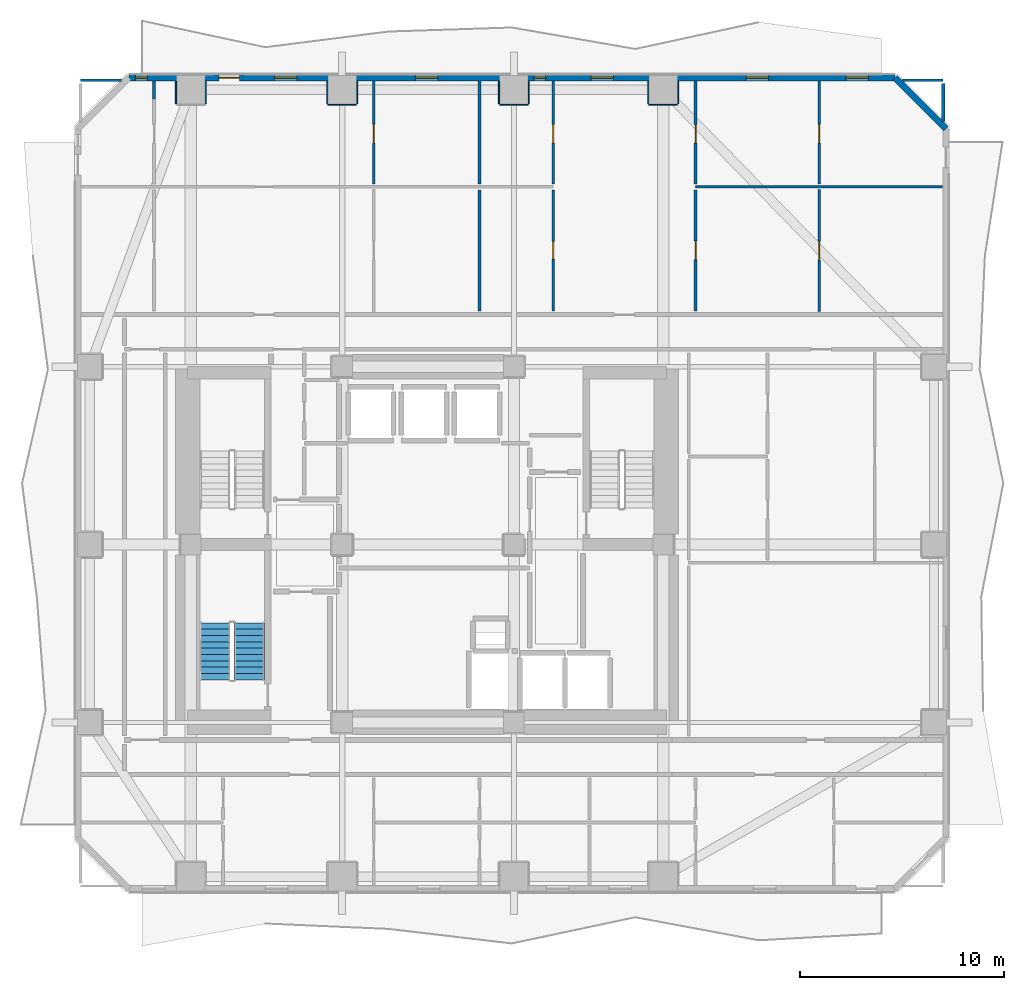
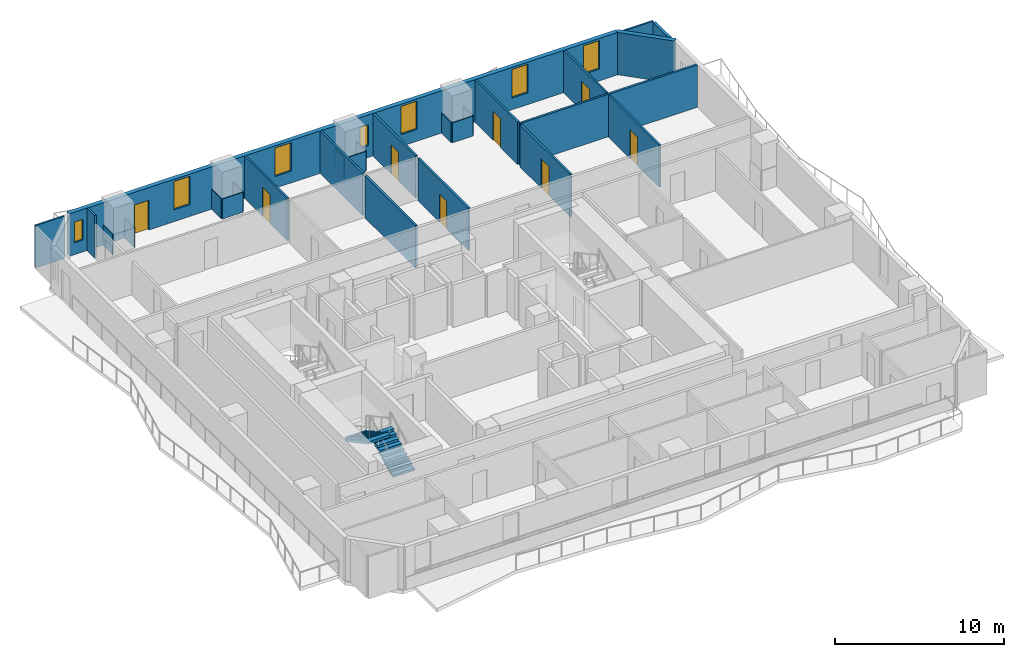
# One storey, part 6 of 11: 27 walls, 8 doors, 7 windows, 2 stair flights, 15 openings, 1 element without a shape of its own.
"""IFC4 building model written with IfcOpenShell, lengths in metres."""

from ifc_helpers import new_model, si_unit, direction, frame, frame_2d, origin, place, context, subcontext, project, spatial, polyline, rectangle, outline, extrude, material, layer, layer_set, type_object, element, fill, aggregate, save


model = new_model("IFC4")

# Units and contexts
model_context = context("Model", 3, precision=1e-05, world=origin(), true_north=direction((0.0, 1.0)))
body_context = subcontext(model_context, "Body", "Model", "MODEL_VIEW")
ifc_project = project(units=[si_unit("LENGTHUNIT", "METRE"), si_unit("AREAUNIT", "SQUARE_METRE"), si_unit("VOLUMEUNIT", "CUBIC_METRE"), si_unit("PLANEANGLEUNIT", "RADIAN"), si_unit("MASSUNIT", "GRAM", prefix="KILO")], contexts=[model_context])

# Site, building, storey
site_placement = place(None, origin())
site = spatial("IfcSite", under=ifc_project, at=site_placement, CompositionType="ELEMENT")
building_placement = place(site_placement, origin())
building = spatial("IfcBuilding", under=site, at=building_placement, Name="Solanera Arch Residences", CompositionType="ELEMENT")
storey_placement = place(building_placement, frame((0.0, 0.0, 75.1201171875)))
storey = spatial("IfcBuildingStorey", under=building, at=storey_placement, Name="L21", CompositionType="ELEMENT", Elevation=75.1201171875)

# Walls
ifc_material_1 = material(Name="Fire-Rated Gypsum Stud Partition", Category="gypsum")
ifc_layer_1 = layer(ifc_material_1, 0.06005859375)
ifc_layer_set_1 = layer_set([ifc_layer_1], Name="Fire-Rated Gypsum Stud Partition")
wall_type_1 = type_object("IfcWallType", Name="Column Acoustic Furring Wall 60", PredefinedType="PARTITIONING", material=ifc_layer_set_1)
for number, where, z_axis, x_axis, name in (
    (1, (12.66796875, 52.25, 0.0), (0.0, 0.0, 1.0), (0.0, 1.0, 0.0), "L21 Column Furring 10W"),
    (2, (14.132080078125, 52.25, 0.0), (0.0, 0.0, 1.0), (0.0, 1.0, 0.0), "L21 Column Furring 10E"),
):
    element("IfcWall", number, at=place(storey_placement, frame(where, z_axis=z_axis, x_axis=x_axis)), inside=storey, type_object=wall_type_1, Name=name, PredefinedType="PARTITIONING", context=body_context, shape_type="SweptSolid", body=[
        extrude(rectangle(XDim=1.1201171875, YDim=0.06005859375, at=frame_2d((0.56005859375, 0.0))), origin(), (0.0, 0.0, 1.0), 1.449951171875),
    ])
wall_1_placement = place(storey_placement, frame((20.10009765625, 52.218017578125, 0.0), z_axis=(0.0, 0.0, 1.0), x_axis=(1.0, 0.0, 0.0)))
element("IfcWall", 3, at=wall_1_placement, inside=storey, type_object=wall_type_1, Name="L21 Column Furring 12S", PredefinedType="PARTITIONING", context=body_context, shape_type="SweptSolid", body=[
    extrude(rectangle(XDim=1.39990234375, YDim=0.06005859375, at=frame_2d((0.699951171875, 0.0))), origin(), (0.0, 0.0, 1.0), 1.449951171875),
])
for number, where, z_axis, x_axis, name in (
    (4, (20.068115234375, 52.25, 0.0), (0.0, 0.0, 1.0), (0.0, 1.0, 0.0), "L21 Column Furring 12W"),
    (5, (21.531982421875, 52.25, 0.0), (0.0, 0.0, 1.0), (0.0, 1.0, 0.0), "L21 Column Furring 12E"),
):
    element("IfcWall", number, at=place(storey_placement, frame(where, z_axis=z_axis, x_axis=x_axis)), inside=storey, type_object=wall_type_1, Name=name, PredefinedType="PARTITIONING", context=body_context, shape_type="SweptSolid", body=[
        extrude(rectangle(XDim=1.1201171875, YDim=0.06005859375, at=frame_2d((0.56005859375, 0.0))), origin(), (0.0, 0.0, 1.0), 1.449951171875),
    ])
wall_2_placement = place(storey_placement, frame((28.5, 52.218017578125, 0.0), z_axis=(0.0, 0.0, 1.0), x_axis=(1.0, 0.0, 0.0)))
element("IfcWall", 6, at=wall_2_placement, inside=storey, type_object=wall_type_1, Name="L21 Column Furring 14S", PredefinedType="PARTITIONING", context=body_context, shape_type="SweptSolid", body=[
    extrude(rectangle(XDim=1.39990234375, YDim=0.06005859375, at=frame_2d((0.699951171875, 0.0))), origin(), (0.0, 0.0, 1.0), 1.449951171875),
])
for number, where, z_axis, x_axis, name in (
    (7, (28.468017578125, 52.25, 0.0), (0.0, 0.0, 1.0), (0.0, 1.0, 0.0), "L21 Column Furring 14W"),
    (8, (29.931884765625, 52.25, 0.0), (0.0, 0.0, 1.0), (0.0, 1.0, 0.0), "L21 Column Furring 14E"),
):
    element("IfcWall", number, at=place(storey_placement, frame(where, z_axis=z_axis, x_axis=x_axis)), inside=storey, type_object=wall_type_1, Name=name, PredefinedType="PARTITIONING", context=body_context, shape_type="SweptSolid", body=[
        extrude(rectangle(XDim=1.1201171875, YDim=0.06005859375, at=frame_2d((0.56005859375, 0.0))), origin(), (0.0, 0.0, 1.0), 1.449951171875),
    ])
wall_3_placement = place(storey_placement, frame((35.800048828125, 52.218017578125, 0.0), z_axis=(0.0, 0.0, 1.0), x_axis=(1.0, 0.0, 0.0)))
element("IfcWall", 9, at=wall_3_placement, inside=storey, type_object=wall_type_1, Name="L21 Column Furring 16S", PredefinedType="PARTITIONING", context=body_context, shape_type="SweptSolid", body=[
    extrude(rectangle(XDim=1.39990234375, YDim=0.06005859375, at=frame_2d((0.699951171875, 0.0))), origin(), (0.0, 0.0, 1.0), 1.449951171875),
])
for number, where, z_axis, x_axis, name in (
    (10, (35.76806640625, 52.25, 0.0), (0.0, 0.0, 1.0), (0.0, 1.0, 0.0), "L21 Column Furring 16W"),
    (11, (37.23193359375, 52.25, 0.0), (0.0, 0.0, 1.0), (0.0, 1.0, 0.0), "L21 Column Furring 16E"),
):
    element("IfcWall", number, at=place(storey_placement, frame(where, z_axis=z_axis, x_axis=x_axis)), inside=storey, type_object=wall_type_1, Name=name, PredefinedType="PARTITIONING", context=body_context, shape_type="SweptSolid", body=[
        extrude(rectangle(XDim=1.1201171875, YDim=0.06005859375, at=frame_2d((0.56005859375, 0.0))), origin(), (0.0, 0.0, 1.0), 1.449951171875),
    ])
ifc_material_2 = material(Name="Autoclaved Aerated Concrete Blockwork", Category="masonry")
ifc_layer_2 = layer(ifc_material_2, 0.179931640625)
ifc_layer_set_2 = layer_set([ifc_layer_2], Name="Autoclaved Aerated Concrete Blockwork")
wall_type_2 = type_object("IfcWallType", Name="Corridor Fire Partition 180", PredefinedType="PARTITIONING", material=ifc_layer_set_2)
wall_4_placement = place(storey_placement, frame((50.199951171875, 51.39892578125, 0.0), z_axis=(0.0, 0.0, 1.0), x_axis=(0.0, 1.0, 0.0)))
element("IfcWall", 12, at=wall_4_placement, inside=storey, type_object=wall_type_2, Name="L21 Interior Partition V9 2", PredefinedType="PARTITIONING", context=body_context, shape_type="SweptSolid", body=[
    extrude(rectangle(XDim=1.843017578125, YDim=0.179931640625, at=frame_2d((0.92138671875, 0.0))), origin(), (0.0, 0.0, 1.0), 3.059814453125),
])

# Wall, openings, door, windows
ifc_material_3 = material(Name="Precast Concrete C35/45", Category="concrete")
ifc_layer_3 = layer(ifc_material_3, 0.300048828125)
ifc_layer_set_3 = layer_set([ifc_layer_3], Name="Precast Concrete C35/45")
wall_type_3 = type_object("IfcWallType", Name="Exterior Wall Precast Masonry-Frame 300", PredefinedType="STANDARD", material=ifc_layer_set_3)
wall_5_placement = place(storey_placement, frame((10.364990234375, 53.534912109375, 0.0), z_axis=(0.0, 0.0, 1.0), x_axis=(1.0, 0.0, 0.0)))
wall_5 = element("IfcWall", 13, at=wall_5_placement, inside=storey, type_object=wall_type_3, Name="L21 Tower Exterior Precast Masonry-Frame Wall N", PredefinedType="STANDARD", context=body_context, shape_type="SweptSolid", body=[
    extrude(rectangle(XDim=37.469970703125, YDim=0.300048828125, at=frame_2d((18.73486328125, 0.0))), origin(), (0.0, 0.0, 1.0), 3.059814453125),
])
opening_1_placement = place(wall_5_placement, frame((4.403076171875, 0.0, 0.0)))
opening_1 = element("IfcOpeningElement", 14, at=opening_1_placement, cuts=wall_5, Name="Opening DB-01", PredefinedType="OPENING", context=body_context, shape_type="SweptSolid", body=[
    extrude(rectangle(XDim=1.0, YDim=2.14990234375, at=frame_2d((0.5, 1.074951171875))), frame((0.0, 0.159912109375, 0.0), z_axis=(0.0, -1.0, 0.0), x_axis=(1.0, 0.0, 0.0)), (0.0, 0.0, 1.0), 0.32),
])
opening_2_placement = place(wall_5_placement, frame((7.118896484375, 0.0, 0.85009765625)))
opening_2 = element("IfcOpeningElement", 15, at=opening_2_placement, cuts=wall_5, Name="Opening W-11", PredefinedType="OPENING", context=body_context, shape_type="SweptSolid", body=[
    extrude(rectangle(XDim=1.10009765625, YDim=2.050048828125, at=frame_2d((0.550048828125, 1.02490234375))), frame((0.0, 0.159912109375, 0.0), z_axis=(0.0, -1.0, 0.0), x_axis=(1.0, 0.0, 0.0)), (0.0, 0.0, 1.0), 0.32),
])
opening_3_placement = place(wall_5_placement, frame((0.323974609375, 0.0, 0.85009765625)))
opening_3 = element("IfcOpeningElement", 16, at=opening_3_placement, cuts=wall_5, Name="Opening W-14", PredefinedType="OPENING", context=body_context, shape_type="SweptSolid", body=[
    extrude(rectangle(XDim=0.580078125, YDim=1.5, at=frame_2d((0.2900390625, 0.75))), frame((0.0, 0.159912109375, 0.0), z_axis=(0.0, -1.0, 0.0), x_axis=(1.0, 0.0, 0.0)), (0.0, 0.0, 1.0), 0.32),
])
opening_4_placement = place(wall_5_placement, frame((14.02099609375, 0.0, 0.85009765625)))
opening_4 = element("IfcOpeningElement", 17, at=opening_4_placement, cuts=wall_5, Name="Opening W-11", PredefinedType="OPENING", context=body_context, shape_type="SweptSolid", body=[
    extrude(rectangle(XDim=1.10009765625, YDim=2.050048828125, at=frame_2d((0.550048828125, 1.02490234375))), frame((0.0, 0.159912109375, 0.0), z_axis=(0.0, -1.0, 0.0), x_axis=(1.0, 0.0, 0.0)), (0.0, 0.0, 1.0), 0.32),
])
opening_5_placement = place(wall_5_placement, frame((22.596923828125, 0.0, 0.85009765625)))
opening_5 = element("IfcOpeningElement", 18, at=opening_5_placement, cuts=wall_5, Name="Opening W-11", PredefinedType="OPENING", context=body_context, shape_type="SweptSolid", body=[
    extrude(rectangle(XDim=1.10009765625, YDim=2.050048828125, at=frame_2d((0.550048828125, 1.02490234375))), frame((0.0, 0.159912109375, 0.0), z_axis=(0.0, -1.0, 0.0), x_axis=(1.0, 0.0, 0.0)), (0.0, 0.0, 1.0), 0.32),
])
opening_6_placement = place(wall_5_placement, frame((19.806884765625, 0.0, 0.85009765625)))
opening_6 = element("IfcOpeningElement", 19, at=opening_6_placement, cuts=wall_5, Name="Opening W-14", PredefinedType="OPENING", context=body_context, shape_type="SweptSolid", body=[
    extrude(rectangle(XDim=0.580078125, YDim=1.5, at=frame_2d((0.2900390625, 0.75))), frame((0.0, 0.159912109375, 0.0), z_axis=(0.0, -1.0, 0.0), x_axis=(1.0, 0.0, 0.0)), (0.0, 0.0, 1.0), 0.32),
])
opening_7_placement = place(wall_5_placement, frame((30.195068359375, 0.0, 0.85009765625)))
opening_7 = element("IfcOpeningElement", 20, at=opening_7_placement, cuts=wall_5, Name="Opening W-11", PredefinedType="OPENING", context=body_context, shape_type="SweptSolid", body=[
    extrude(rectangle(XDim=1.10009765625, YDim=2.050048828125, at=frame_2d((0.550048828125, 1.02490234375))), frame((0.0, 0.159912109375, 0.0), z_axis=(0.0, -1.0, 0.0), x_axis=(1.0, 0.0, 0.0)), (0.0, 0.0, 1.0), 0.32),
])
opening_8_placement = place(wall_5_placement, frame((35.077880859375, 0.0, 0.85009765625)))
opening_8 = element("IfcOpeningElement", 21, at=opening_8_placement, cuts=wall_5, Name="Opening W-11", PredefinedType="OPENING", context=body_context, shape_type="SweptSolid", body=[
    extrude(rectangle(XDim=1.10009765625, YDim=2.050048828125, at=frame_2d((0.550048828125, 1.02490234375))), frame((0.0, 0.159912109375, 0.0), z_axis=(0.0, -1.0, 0.0), x_axis=(1.0, 0.0, 0.0)), (0.0, 0.0, 1.0), 0.32),
])
ifc_material_4 = material(Name="Anodised Aluminium Alloy 6063-T6", Category="aluminium")
door_type_1 = type_object("IfcDoorType", Name="Glazed Balcony Swing Door DB-01", OperationType="NOTDEFINED", PredefinedType="DOOR", material=ifc_material_4)
door_1_placement = place(opening_1_placement, origin())
door_1 = element("IfcDoor", 22, at=door_1_placement, inside=storey, type_object=door_type_1, Name="DR-L21-OUT-02", OperationType="SINGLE_SWING_RIGHT", OverallHeight=2.14990234375, OverallWidth=1.0, PredefinedType="DOOR", context=body_context, shape_type="SweptSolid", body=[
    extrude(rectangle(XDim=1.0, YDim=2.14990234375, at=frame_2d((0.5, 1.074951171875))), frame((0.0, 0.02490234375, 0.0), z_axis=(0.0, -1.0, 0.0), x_axis=(1.0, 0.0, 0.0)), (0.0, 0.0, 1.0), 0.050048828125),
])
fill(opening_1, door_1)
ifc_material_5 = material(Name="Double Glazed Low-E Laminated Glass", Category="glass")
window_type_1 = type_object("IfcWindowType", Name="Punched Window W-11", PartitioningType="SINGLE_PANEL", PredefinedType="WINDOW", material=ifc_material_5)
window_1_placement = place(opening_2_placement, origin())
window_1 = element("IfcWindow", 23, at=window_1_placement, inside=storey, type_object=window_type_1, Name="L21 2103-LIV Punched Window", OverallHeight=2.050048828125, OverallWidth=1.10009765625, PartitioningType="SINGLE_PANEL", PredefinedType="WINDOW", context=body_context, shape_type="SweptSolid", body=[
    extrude(rectangle(XDim=1.10009765625, YDim=2.050048828125, at=frame_2d((0.550048828125, 1.02490234375))), frame((0.0, 0.030029296875, 0.0), z_axis=(0.0, -1.0, 0.0), x_axis=(1.0, 0.0, 0.0)), (0.0, 0.0, 1.0), 0.06005859375),
])
fill(opening_2, window_1)
window_2_placement = place(opening_4_placement, origin())
window_2 = element("IfcWindow", 24, at=window_2_placement, inside=storey, type_object=window_type_1, Name="L21 2103-BR2 Punched Window", OverallHeight=2.050048828125, OverallWidth=1.10009765625, PartitioningType="SINGLE_PANEL", PredefinedType="WINDOW", context=body_context, shape_type="SweptSolid", body=[
    extrude(rectangle(XDim=1.10009765625, YDim=2.050048828125, at=frame_2d((0.550048828125, 1.02490234375))), frame((0.0, 0.030029296875, 0.0), z_axis=(0.0, -1.0, 0.0), x_axis=(1.0, 0.0, 0.0)), (0.0, 0.0, 1.0), 0.06005859375),
])
fill(opening_4, window_2)
window_3_placement = place(opening_5_placement, origin())
window_3 = element("IfcWindow", 25, at=window_3_placement, inside=storey, type_object=window_type_1, Name="L21 2104-LIV Punched Window", OverallHeight=2.050048828125, OverallWidth=1.10009765625, PartitioningType="SINGLE_PANEL", PredefinedType="WINDOW", context=body_context, shape_type="SweptSolid", body=[
    extrude(rectangle(XDim=1.10009765625, YDim=2.050048828125, at=frame_2d((0.550048828125, 1.02490234375))), frame((0.0, 0.030029296875, 0.0), z_axis=(0.0, -1.0, 0.0), x_axis=(1.0, 0.0, 0.0)), (0.0, 0.0, 1.0), 0.06005859375),
])
fill(opening_5, window_3)
window_4_placement = place(opening_7_placement, origin())
window_4 = element("IfcWindow", 26, at=window_4_placement, inside=storey, type_object=window_type_1, Name="L21 2104-BR2 Punched Window", OverallHeight=2.050048828125, OverallWidth=1.10009765625, PartitioningType="SINGLE_PANEL", PredefinedType="WINDOW", context=body_context, shape_type="SweptSolid", body=[
    extrude(rectangle(XDim=1.10009765625, YDim=2.050048828125, at=frame_2d((0.550048828125, 1.02490234375))), frame((0.0, 0.030029296875, 0.0), z_axis=(0.0, -1.0, 0.0), x_axis=(1.0, 0.0, 0.0)), (0.0, 0.0, 1.0), 0.06005859375),
])
fill(opening_7, window_4)
window_5_placement = place(opening_8_placement, origin())
window_5 = element("IfcWindow", 27, at=window_5_placement, inside=storey, type_object=window_type_1, Name="L21 2104-BR3 Punched Window", OverallHeight=2.050048828125, OverallWidth=1.10009765625, PartitioningType="SINGLE_PANEL", PredefinedType="WINDOW", context=body_context, shape_type="SweptSolid", body=[
    extrude(rectangle(XDim=1.10009765625, YDim=2.050048828125, at=frame_2d((0.550048828125, 1.02490234375))), frame((0.0, 0.030029296875, 0.0), z_axis=(0.0, -1.0, 0.0), x_axis=(1.0, 0.0, 0.0)), (0.0, 0.0, 1.0), 0.06005859375),
])
fill(opening_8, window_5)
ifc_material_6 = material(Name="Double Glazed Low-E Laminated Glass", Category="glass")
window_type_2 = type_object("IfcWindowType", Name="Punched Window W-14", PartitioningType="SINGLE_PANEL", PredefinedType="WINDOW", material=ifc_material_6)
window_6_placement = place(opening_3_placement, origin())
window_6 = element("IfcWindow", 28, at=window_6_placement, inside=storey, type_object=window_type_2, Name="L21 2103-BR1 Punched Window", OverallHeight=1.5, OverallWidth=0.580078125, PartitioningType="SINGLE_PANEL", PredefinedType="WINDOW", context=body_context, shape_type="SweptSolid", body=[
    extrude(rectangle(XDim=0.580078125, YDim=1.5, at=frame_2d((0.2900390625, 0.75))), frame((0.0, 0.030029296875, 0.0), z_axis=(0.0, -1.0, 0.0), x_axis=(1.0, 0.0, 0.0)), (0.0, 0.0, 1.0), 0.06005859375),
])
fill(opening_3, window_6)
window_7_placement = place(opening_6_placement, origin())
window_7 = element("IfcWindow", 29, at=window_7_placement, inside=storey, type_object=window_type_2, Name="L21 2104-BR1 Punched Window", OverallHeight=1.5, OverallWidth=0.580078125, PartitioningType="SINGLE_PANEL", PredefinedType="WINDOW", context=body_context, shape_type="SweptSolid", body=[
    extrude(rectangle(XDim=0.580078125, YDim=1.5, at=frame_2d((0.2900390625, 0.75))), frame((0.0, 0.030029296875, 0.0), z_axis=(0.0, -1.0, 0.0), x_axis=(1.0, 0.0, 0.0)), (0.0, 0.0, 1.0), 0.06005859375),
])
fill(opening_6, window_7)

# Walls
wall_6_placement = place(storey_placement, frame((47.8349609375, 53.534912109375, 0.0), z_axis=(0.0, 0.0, 1.0), x_axis=(0.707106781187, -0.707106781187, 0.0)))
element("IfcWall", 30, at=wall_6_placement, inside=storey, type_object=wall_type_3, Name="L21 Tower Exterior Precast Masonry-Frame Wall CH3", PredefinedType="STANDARD", context=body_context, shape_type="SweptSolid", body=[
    extrude(rectangle(XDim=3.53564453125, YDim=0.300048828125, at=frame_2d((1.767822265625, 0.0))), origin(), (0.0, 0.0, 1.0), 3.059814453125),
])
ifc_material_7 = material(Name="Fire-Rated Gypsum Stud Partition", Category="gypsum")
ifc_layer_4 = layer(ifc_material_7, 0.1201171875)
ifc_layer_set_4 = layer_set([ifc_layer_4], Name="Fire-Rated Gypsum Stud Partition")
wall_type_4 = type_object("IfcWallType", Name="Unit Drywall Partition 120", PredefinedType="PARTITIONING", material=ifc_layer_set_4)
for number, where, z_axis, x_axis, name in (
    (31, (8.0, 53.39990234375, 0.0), (0.0, 0.0, 1.0), (1.0, 0.0, 0.0), "L21 Interior Partition H21 1"),
    (32, (48.198974609375, 53.39990234375, 0.0), (0.0, 0.0, 1.0), (1.0, 0.0, 0.0), "L21 Interior Partition H21 2"),
):
    element("IfcWall", number, at=place(storey_placement, frame(where, z_axis=z_axis, x_axis=x_axis)), inside=storey, type_object=wall_type_4, Name=name, PredefinedType="PARTITIONING", context=body_context, shape_type="SweptSolid", body=[
        extrude(rectangle(XDim=2.0009765625, YDim=0.1201171875, at=frame_2d((1.00048828125, 0.0))), origin(), (0.0, 0.0, 1.0), 3.059814453125),
    ])

# Wall, opening, door
wall_7_placement = place(storey_placement, frame((22.35205078125, 48.337890625, 0.0), z_axis=(0.0, 0.0, 1.0), x_axis=(0.0, 1.0, 0.0)))
wall_7 = element("IfcWall", 33, at=wall_7_placement, inside=storey, type_object=wall_type_4, Name="L21 Interior Partition V23 2", PredefinedType="PARTITIONING", context=body_context, shape_type="SweptSolid", body=[
    extrude(rectangle(XDim=5.03515625, YDim=0.1201171875, at=frame_2d((2.517578125, 0.0))), origin(), (0.0, 0.0, 1.0), 3.059814453125),
])
opening_9_placement = place(wall_7_placement, frame((2.011962890625, 0.0, 0.0)))
opening_9 = element("IfcOpeningElement", 34, at=opening_9_placement, cuts=wall_7, Name="Opening DI-03", PredefinedType="OPENING", context=body_context, shape_type="SweptSolid", body=[
    extrude(rectangle(XDim=0.89990234375, YDim=2.10009765625, at=frame_2d((0.449951171875, 1.050048828125))), frame((0.0, 0.070068359375, 0.0), z_axis=(0.0, -1.0, 0.0), x_axis=(1.0, 0.0, 0.0)), (0.0, 0.0, 1.0), 0.1401),
])
ifc_material_8 = material(Name="Fire-Rated Architectural Hardwood", Category="wood")
door_type_2 = type_object("IfcDoorType", Name="Bedroom Swing Door DI-03", OperationType="NOTDEFINED", PredefinedType="DOOR", material=ifc_material_8)
door_2_placement = place(opening_9_placement, origin())
door_2 = element("IfcDoor", 35, at=door_2_placement, inside=storey, type_object=door_type_2, Name="DR-L21-IN-030", OperationType="SINGLE_SWING_RIGHT", OverallHeight=2.10009765625, OverallWidth=0.89990234375, PredefinedType="DOOR", context=body_context, shape_type="SweptSolid", body=[
    extrude(rectangle(XDim=0.89990234375, YDim=2.10009765625, at=frame_2d((0.449951171875, 1.050048828125))), frame((0.0, 0.02490234375, 0.0), z_axis=(0.0, -1.0, 0.0), x_axis=(1.0, 0.0, 0.0)), (0.0, 0.0, 1.0), 0.050048828125),
])
fill(opening_9, door_2)

wall_8_placement = place(storey_placement, frame((44.139892578125, 42.10791015625, 0.0), z_axis=(0.0, 0.0, 1.0), x_axis=(0.0, 1.0, 0.0)))
wall_8 = element("IfcWall", 36, at=wall_8_placement, inside=storey, type_object=wall_type_4, Name="L21 Interior Partition V24 1", PredefinedType="PARTITIONING", context=body_context, shape_type="SweptSolid", body=[
    extrude(rectangle(XDim=5.9541015625, YDim=0.1201171875, at=frame_2d((2.97705078125, 0.0))), origin(), (0.0, 0.0, 1.0), 3.059814453125),
])
opening_10_placement = place(wall_8_placement, frame((2.51708984375, 0.0, 0.0)))
opening_10 = element("IfcOpeningElement", 37, at=opening_10_placement, cuts=wall_8, Name="Opening DI-02", PredefinedType="OPENING", context=body_context, shape_type="SweptSolid", body=[
    extrude(rectangle(XDim=0.89990234375, YDim=2.10009765625, at=frame_2d((0.449951171875, 1.050048828125))), frame((0.0, 0.070068359375, 0.0), z_axis=(0.0, -1.0, 0.0), x_axis=(1.0, 0.0, 0.0)), (0.0, 0.0, 1.0), 0.1401),
])
ifc_material_9 = material(Name="Fire-Rated Architectural Hardwood", Category="wood")
door_type_3 = type_object("IfcDoorType", Name="Suite Room Swing Door DI-02", OperationType="NOTDEFINED", PredefinedType="DOOR", material=ifc_material_9)
door_3_placement = place(opening_10_placement, origin())
door_3 = element("IfcDoor", 38, at=door_3_placement, inside=storey, type_object=door_type_3, Name="DR-L21-IN-035", OperationType="SINGLE_SWING_LEFT", OverallHeight=2.10009765625, OverallWidth=0.89990234375, PredefinedType="DOOR", context=body_context, shape_type="SweptSolid", body=[
    extrude(rectangle(XDim=0.89990234375, YDim=2.10009765625, at=frame_2d((0.449951171875, 1.050048828125))), frame((0.0, 0.02490234375, 0.0), z_axis=(0.0, -1.0, 0.0), x_axis=(1.0, 0.0, 0.0)), (0.0, 0.0, 1.0), 0.050048828125),
])
fill(opening_10, door_3)

wall_9_placement = place(storey_placement, frame((44.139892578125, 48.337890625, 0.0), z_axis=(0.0, 0.0, 1.0), x_axis=(0.0, 1.0, 0.0)))
wall_9 = element("IfcWall", 39, at=wall_9_placement, inside=storey, type_object=wall_type_4, Name="L21 Interior Partition V24 2", PredefinedType="PARTITIONING", context=body_context, shape_type="SweptSolid", body=[
    extrude(rectangle(XDim=5.03515625, YDim=0.1201171875, at=frame_2d((2.517578125, 0.0))), origin(), (0.0, 0.0, 1.0), 3.059814453125),
])
opening_11_placement = place(wall_9_placement, frame((2.011962890625, 0.0, 0.0)))
opening_11 = element("IfcOpeningElement", 40, at=opening_11_placement, cuts=wall_9, Name="Opening DI-03", PredefinedType="OPENING", context=body_context, shape_type="SweptSolid", body=[
    extrude(rectangle(XDim=0.89990234375, YDim=2.10009765625, at=frame_2d((0.449951171875, 1.050048828125))), frame((0.0, 0.070068359375, 0.0), z_axis=(0.0, -1.0, 0.0), x_axis=(1.0, 0.0, 0.0)), (0.0, 0.0, 1.0), 0.1401),
])
door_4_placement = place(opening_11_placement, origin())
door_4 = element("IfcDoor", 41, at=door_4_placement, inside=storey, type_object=door_type_2, Name="DR-L21-IN-037", OperationType="SINGLE_SWING_LEFT", OverallHeight=2.10009765625, OverallWidth=0.89990234375, PredefinedType="DOOR", context=body_context, shape_type="SweptSolid", body=[
    extrude(rectangle(XDim=0.89990234375, YDim=2.10009765625, at=frame_2d((0.449951171875, 1.050048828125))), frame((0.0, 0.02490234375, 0.0), z_axis=(0.0, -1.0, 0.0), x_axis=(1.0, 0.0, 0.0)), (0.0, 0.0, 1.0), 0.050048828125),
])
fill(opening_11, door_4)

# Walls
ifc_material_10 = material(Name="Autoclaved Aerated Concrete Blockwork", Category="masonry")
ifc_layer_5 = layer(ifc_material_10, 0.139892578125)
ifc_layer_set_5 = layer_set([ifc_layer_5], Name="Autoclaved Aerated Concrete Blockwork")
wall_type_5 = type_object("IfcWallType", Name="Wet-Room Partition 140", PredefinedType="PARTITIONING", material=ifc_layer_set_5)
wall_10_placement = place(storey_placement, frame((38.080078125, 48.199951171875, 0.0), z_axis=(0.0, 0.0, 1.0), x_axis=(1.0, 0.0, 0.0)))
element("IfcWall", 42, at=wall_10_placement, inside=storey, type_object=wall_type_5, Name="L21 Interior Partition H18", PredefinedType="PARTITIONING", context=body_context, shape_type="SweptSolid", body=[
    extrude(rectangle(XDim=12.093017578125, YDim=0.139892578125, at=frame_2d((6.04638671875, 0.0))), origin(), (0.0, 0.0, 1.0), 3.059814453125),
])
wall_11_placement = place(storey_placement, frame((11.60400390625, 52.48291015625, 0.0), z_axis=(0.0, 0.0, 1.0), x_axis=(0.0, 1.0, 0.0)))
element("IfcWall", 43, at=wall_11_placement, inside=storey, type_object=wall_type_5, Name="L21 Interior Partition V12 3", PredefinedType="PARTITIONING", context=body_context, shape_type="SweptSolid", body=[
    extrude(rectangle(XDim=0.89013671875, YDim=0.139892578125, at=frame_2d((0.445068359375, 0.0))), origin(), (0.0, 0.0, 1.0), 3.059814453125),
])
wall_12_placement = place(storey_placement, frame((27.52001953125, 42.117919921875, 0.0), z_axis=(0.0, 0.0, 1.0), x_axis=(0.0, 1.0, 0.0)))
element("IfcWall", 44, at=wall_12_placement, inside=storey, type_object=wall_type_5, Name="L21 Interior Partition V15 1", PredefinedType="PARTITIONING", context=body_context, shape_type="SweptSolid", body=[
    extrude(rectangle(XDim=5.93408203125, YDim=0.139892578125, at=frame_2d((2.967041015625, 0.0))), origin(), (0.0, 0.0, 1.0), 3.059814453125),
])
wall_13_placement = place(storey_placement, frame((27.52001953125, 48.347900390625, 0.0), z_axis=(0.0, 0.0, 1.0), x_axis=(0.0, 1.0, 0.0)))
element("IfcWall", 45, at=wall_13_placement, inside=storey, type_object=wall_type_5, Name="L21 Interior Partition V15 2", PredefinedType="PARTITIONING", context=body_context, shape_type="SweptSolid", body=[
    extrude(rectangle(XDim=5.025146484375, YDim=0.139892578125, at=frame_2d((2.5126953125, 0.0))), origin(), (0.0, 0.0, 1.0), 3.059814453125),
])

# Wall, opening, door
wall_14_placement = place(storey_placement, frame((31.1240234375, 42.117919921875, 0.0), z_axis=(0.0, 0.0, 1.0), x_axis=(0.0, 1.0, 0.0)))
wall_14 = element("IfcWall", 46, at=wall_14_placement, inside=storey, type_object=wall_type_5, Name="L21 Interior Partition V16 1", PredefinedType="PARTITIONING", context=body_context, shape_type="SweptSolid", body=[
    extrude(rectangle(XDim=5.93408203125, YDim=0.139892578125, at=frame_2d((2.967041015625, 0.0))), origin(), (0.0, 0.0, 1.0), 3.059814453125),
])
opening_12_placement = place(wall_14_placement, frame((2.5400390625, 0.0, 0.0)))
opening_12 = element("IfcOpeningElement", 47, at=opening_12_placement, cuts=wall_14, Name="Opening DI-05", PredefinedType="OPENING", context=body_context, shape_type="SweptSolid", body=[
    extrude(rectangle(XDim=0.860107421875, YDim=2.02001953125, at=frame_2d((0.43017578125, 1.010009765625))), frame((0.0, 0.079833984375, 0.0), z_axis=(0.0, -1.0, 0.0), x_axis=(1.0, 0.0, 0.0)), (0.0, 0.0, 1.0), 0.1599),
])
ifc_material_11 = material(Name="Fire-Rated Architectural Hardwood", Category="wood")
door_type_4 = type_object("IfcDoorType", Name="Bathroom Swing Door DI-05", OperationType="NOTDEFINED", PredefinedType="DOOR", material=ifc_material_11)
door_5_placement = place(opening_12_placement, origin())
door_5 = element("IfcDoor", 48, at=door_5_placement, inside=storey, type_object=door_type_4, Name="DR-L21-IN-032", OperationType="SINGLE_SWING_RIGHT", OverallHeight=2.02001953125, OverallWidth=0.860107421875, PredefinedType="DOOR", context=body_context, shape_type="SweptSolid", body=[
    extrude(rectangle(XDim=0.860107421875, YDim=2.02001953125, at=frame_2d((0.43017578125, 1.010009765625))), frame((0.0, 0.02490234375, 0.0), z_axis=(0.0, -1.0, 0.0), x_axis=(1.0, 0.0, 0.0)), (0.0, 0.0, 1.0), 0.050048828125),
])
fill(opening_12, door_5)

wall_15_placement = place(storey_placement, frame((31.1240234375, 48.347900390625, 0.0), z_axis=(0.0, 0.0, 1.0), x_axis=(0.0, 1.0, 0.0)))
wall_15 = element("IfcWall", 49, at=wall_15_placement, inside=storey, type_object=wall_type_5, Name="L21 Interior Partition V16 2", PredefinedType="PARTITIONING", context=body_context, shape_type="SweptSolid", body=[
    extrude(rectangle(XDim=5.025146484375, YDim=0.139892578125, at=frame_2d((2.5126953125, 0.0))), origin(), (0.0, 0.0, 1.0), 3.059814453125),
])
opening_13_placement = place(wall_15_placement, frame((1.989013671875, 0.0, 0.0)))
opening_13 = element("IfcOpeningElement", 50, at=opening_13_placement, cuts=wall_15, Name="Opening DI-03", PredefinedType="OPENING", context=body_context, shape_type="SweptSolid", body=[
    extrude(rectangle(XDim=0.89990234375, YDim=2.10009765625, at=frame_2d((0.449951171875, 1.050048828125))), frame((0.0, 0.079833984375, 0.0), z_axis=(0.0, -1.0, 0.0), x_axis=(1.0, 0.0, 0.0)), (0.0, 0.0, 1.0), 0.1599),
])
door_6_placement = place(opening_13_placement, origin())
door_6 = element("IfcDoor", 51, at=door_6_placement, inside=storey, type_object=door_type_2, Name="DR-L21-IN-033", OperationType="SINGLE_SWING_LEFT", OverallHeight=2.10009765625, OverallWidth=0.89990234375, PredefinedType="DOOR", context=body_context, shape_type="SweptSolid", body=[
    extrude(rectangle(XDim=0.89990234375, YDim=2.10009765625, at=frame_2d((0.449951171875, 1.050048828125))), frame((0.0, 0.02490234375, 0.0), z_axis=(0.0, -1.0, 0.0), x_axis=(1.0, 0.0, 0.0)), (0.0, 0.0, 1.0), 0.050048828125),
])
fill(opening_13, door_6)

wall_16_placement = place(storey_placement, frame((38.083984375, 42.117919921875, 0.0), z_axis=(0.0, 0.0, 1.0), x_axis=(0.0, 1.0, 0.0)))
wall_16 = element("IfcWall", 52, at=wall_16_placement, inside=storey, type_object=wall_type_5, Name="L21 Interior Partition V20 1", PredefinedType="PARTITIONING", context=body_context, shape_type="SweptSolid", body=[
    extrude(rectangle(XDim=5.93408203125, YDim=0.139892578125, at=frame_2d((2.967041015625, 0.0))), origin(), (0.0, 0.0, 1.0), 3.059814453125),
])
opening_14_placement = place(wall_16_placement, frame((2.52001953125, 0.0, 0.0)))
opening_14 = element("IfcOpeningElement", 53, at=opening_14_placement, cuts=wall_16, Name="Opening DI-02", PredefinedType="OPENING", context=body_context, shape_type="SweptSolid", body=[
    extrude(rectangle(XDim=0.89990234375, YDim=2.10009765625, at=frame_2d((0.449951171875, 1.050048828125))), frame((0.0, 0.079833984375, 0.0), z_axis=(0.0, -1.0, 0.0), x_axis=(1.0, 0.0, 0.0)), (0.0, 0.0, 1.0), 0.1599),
])
door_7_placement = place(opening_14_placement, origin())
door_7 = element("IfcDoor", 54, at=door_7_placement, inside=storey, type_object=door_type_3, Name="DR-L21-IN-034", OperationType="SINGLE_SWING_RIGHT", OverallHeight=2.10009765625, OverallWidth=0.89990234375, PredefinedType="DOOR", context=body_context, shape_type="SweptSolid", body=[
    extrude(rectangle(XDim=0.89990234375, YDim=2.10009765625, at=frame_2d((0.449951171875, 1.050048828125))), frame((0.0, 0.02490234375, 0.0), z_axis=(0.0, -1.0, 0.0), x_axis=(1.0, 0.0, 0.0)), (0.0, 0.0, 1.0), 0.050048828125),
])
fill(opening_14, door_7)

wall_17_placement = place(storey_placement, frame((38.083984375, 48.347900390625, 0.0), z_axis=(0.0, 0.0, 1.0), x_axis=(0.0, 1.0, 0.0)))
wall_17 = element("IfcWall", 55, at=wall_17_placement, inside=storey, type_object=wall_type_5, Name="L21 Interior Partition V20 2", PredefinedType="PARTITIONING", context=body_context, shape_type="SweptSolid", body=[
    extrude(rectangle(XDim=5.025146484375, YDim=0.139892578125, at=frame_2d((2.5126953125, 0.0))), origin(), (0.0, 0.0, 1.0), 3.059814453125),
])
opening_15_placement = place(wall_17_placement, frame((1.989013671875, 0.0, 0.0)))
opening_15 = element("IfcOpeningElement", 56, at=opening_15_placement, cuts=wall_17, Name="Opening DI-03", PredefinedType="OPENING", context=body_context, shape_type="SweptSolid", body=[
    extrude(rectangle(XDim=0.89990234375, YDim=2.10009765625, at=frame_2d((0.449951171875, 1.050048828125))), frame((0.0, 0.079833984375, 0.0), z_axis=(0.0, -1.0, 0.0), x_axis=(1.0, 0.0, 0.0)), (0.0, 0.0, 1.0), 0.1599),
])
door_8_placement = place(opening_15_placement, origin())
door_8 = element("IfcDoor", 57, at=door_8_placement, inside=storey, type_object=door_type_2, Name="DR-L21-IN-036", OperationType="SINGLE_SWING_RIGHT", OverallHeight=2.10009765625, OverallWidth=0.89990234375, PredefinedType="DOOR", context=body_context, shape_type="SweptSolid", body=[
    extrude(rectangle(XDim=0.89990234375, YDim=2.10009765625, at=frame_2d((0.449951171875, 1.050048828125))), frame((0.0, 0.02490234375, 0.0), z_axis=(0.0, -1.0, 0.0), x_axis=(1.0, 0.0, 0.0)), (0.0, 0.0, 1.0), 0.050048828125),
])
fill(opening_15, door_8)

# Stair, stair flights
ifc_material_12 = material(Name="Concrete C40/50 (f'c = 45 MPa)", Category="concrete")
stair_type = type_object("IfcStairType", Name="Tower Dogleg Exit Stair 1480", PredefinedType="HALF_TURN_STAIR", material=ifc_material_12)
stair_placement = place(storey_placement, origin())
stair = element("IfcStair", 58, at=stair_placement, inside=storey, type_object=stair_type, Name="L21 Tower Core Exit Stair 3", PredefinedType="HALF_TURN_STAIR")
ifc_material_13 = material(Name="Concrete C40/50 (f'c = 45 MPa)", Category="concrete")
stair_flight_type = type_object("IfcStairFlightType", Name="Tower Precast Stair Flight 1480", PredefinedType="STRAIGHT", material=ifc_material_13)
stair_flight_1_placement = place(storey_placement, frame((16.260009765625, 24.080078125, 0.0), z_axis=(0.0, 0.0, 1.0), x_axis=(0.0, 1.0, 0.0)))
stair_flight_1 = element("IfcStairFlight", 59, at=stair_flight_1_placement, type_object=stair_flight_type, Name="ST-T3 flight 1", NumberOfRisers=10, NumberOfTreads=9, PredefinedType="STRAIGHT", RiserHeight=0.166, TreadLength=0.31, context=body_context, shape_type="SweptSolid", body=[
    extrude(outline(polyline([(0.0, 0.0), (0.0, 0.166015625), (0.31005859375, 0.166015625), (0.31005859375, 0.33203125), (0.6201171875, 0.33203125), (0.6201171875, 0.498046875), (0.929931640625, 0.498046875), (0.929931640625, 0.6640625), (1.239990234375, 0.6640625), (1.239990234375, 0.830078125), (1.550048828125, 0.830078125), (1.550048828125, 0.99609375), (1.860107421875, 0.99609375), (1.860107421875, 1.162109375), (2.169921875, 1.162109375), (2.169921875, 1.327880859375), (2.47998046875, 1.327880859375), (2.47998046875, 1.493896484375), (2.7900390625, 1.493896484375), (2.7900390625, 1.659912109375), (2.7900390625, 1.323974609375), (0.317626953125, 0.0), (0.0, 0.0)])), frame((0.0, 0.739990234375, 0.0), z_axis=(0.0, -1.0, 0.0), x_axis=(1.0, 0.0, 0.0)), (0.0, 0.0, 1.0), 1.47998046875),
])
stair_flight_2_placement = place(storey_placement, frame((14.580078125, 26.8701171875, 1.659912109375), z_axis=(0.0, 0.0, 1.0), x_axis=(0.0, -1.0, 0.0)))
stair_flight_2 = element("IfcStairFlight", 60, at=stair_flight_2_placement, type_object=stair_flight_type, Name="ST-T3 flight 2", NumberOfRisers=10, NumberOfTreads=9, PredefinedType="STRAIGHT", RiserHeight=0.166, TreadLength=0.31, context=body_context, shape_type="SweptSolid", body=[
    extrude(outline(polyline([(0.0, 0.0), (0.0, 0.166015625), (0.31005859375, 0.166015625), (0.31005859375, 0.33203125), (0.6201171875, 0.33203125), (0.6201171875, 0.498046875), (0.929931640625, 0.498046875), (0.929931640625, 0.6640625), (1.239990234375, 0.6640625), (1.239990234375, 0.830078125), (1.550048828125, 0.830078125), (1.550048828125, 0.99609375), (1.860107421875, 0.99609375), (1.860107421875, 1.162109375), (2.169921875, 1.162109375), (2.169921875, 1.327880859375), (2.47998046875, 1.327880859375), (2.47998046875, 1.493896484375), (2.7900390625, 1.493896484375), (2.7900390625, 1.659912109375), (2.7900390625, 1.323974609375), (0.317626953125, 0.0), (0.0, 0.0)])), frame((0.0, 0.739990234375, 0.0), z_axis=(0.0, -1.0, 0.0), x_axis=(1.0, 0.0, 0.0)), (0.0, 0.0, 1.0), 1.47998046875),
])
aggregate(stair, [stair_flight_1, stair_flight_2])

save(model, "model.ifc")
